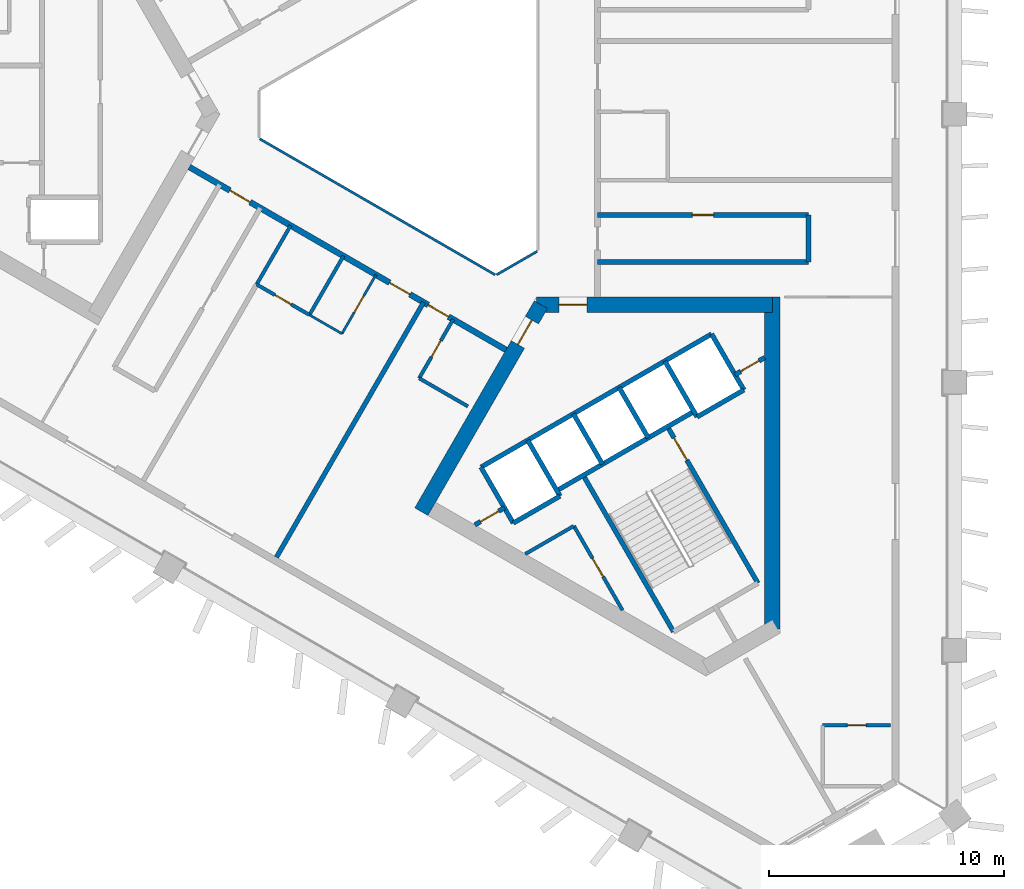
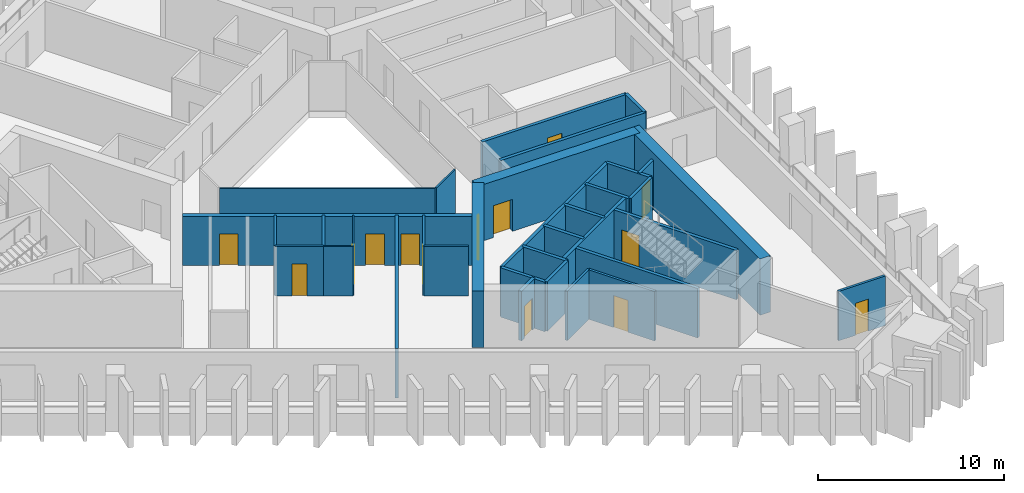
# One storey, part 3 of 11: 34 walls, 14 doors, 14 openings.
"""IFC4 building model written with IfcOpenShell, lengths in metres."""

from ifc_helpers import new_model, si_unit, direction, frame, frame_2d, origin, place, context, subcontext, project, spatial, rectangle, extrude, material, layer, layer_set, type_object, element, fill, save


model = new_model("IFC4")

# Units and contexts
model_context = context("Model", 3, precision=1e-05, world=origin(), true_north=direction((0.0, 1.0)))
body_context = subcontext(model_context, "Body", "Model", "MODEL_VIEW")
ifc_project = project(units=[si_unit("LENGTHUNIT", "METRE"), si_unit("AREAUNIT", "SQUARE_METRE"), si_unit("VOLUMEUNIT", "CUBIC_METRE"), si_unit("PLANEANGLEUNIT", "RADIAN"), si_unit("MASSUNIT", "GRAM", prefix="KILO")], contexts=[model_context])

# Site, building, storey
site_placement = place(None, origin())
site = spatial("IfcSite", under=ifc_project, at=site_placement, CompositionType="ELEMENT")
building_placement = place(site_placement, origin())
building = spatial("IfcBuilding", under=site, at=building_placement, Name="Jabali Bay Hotel Tower and Convention Centre", CompositionType="ELEMENT")
storey_placement = place(building_placement, frame((0.0, 0.0, 114.199951171875)))
storey = spatial("IfcBuildingStorey", under=building, at=storey_placement, Name="L27", CompositionType="ELEMENT", Elevation=114.199951171875)

# Walls
ifc_material_1 = material(Name="Fire-resistant glazing", Category="glass")
ifc_layer_1 = layer(ifc_material_1, 0.10009765625)
ifc_layer_set_1 = layer_set([ifc_layer_1], Name="Fire-resistant glazing")
wall_type_1 = type_object("IfcWallType", Name="Atrium glazed screen 100", PredefinedType="PARTITIONING", material=ifc_layer_set_1)
wall_1_placement = place(storey_placement, frame((67.7021484375, 78.947998046875, 0.0), z_axis=(0.0, 0.0, 1.0), x_axis=(0.866026658274, -0.499997827154, 0.0)))
element("IfcWall", 1, at=wall_1_placement, inside=storey, type_object=wall_type_1, Name="Atrium screen 5 L27", PredefinedType="PARTITIONING", context=body_context, shape_type="SweptSolid", body=[
    extrude(rectangle(XDim=11.58837890625, YDim=0.10009765625, at=frame_2d((5.794189453125, 0.0))), origin(), (0.0, 0.0, 1.0), 3.25),
])
wall_2_placement = place(storey_placement, frame((77.7978515625, 73.15380859375, 0.0), z_axis=(0.0, 0.0, 1.0), x_axis=(0.866041268327, 0.499972520799, 0.0)))
element("IfcWall", 2, at=wall_2_placement, inside=storey, type_object=wall_type_1, Name="Atrium screen 6 L27", PredefinedType="PARTITIONING", context=body_context, shape_type="SweptSolid", body=[
    extrude(rectangle(XDim=2.0, YDim=0.10009765625, at=frame_2d((1.0, 0.0))), origin(), (0.0, 0.0, 1.0), 3.25),
])

# Wall, opening, door
ifc_material_2 = material(Name="Concrete C40", Category="concrete")
ifc_layer_2 = layer(ifc_material_2, 0.199951171875)
ifc_layer_set_2 = layer_set([ifc_layer_2], Name="Concrete C40")
wall_type_2 = type_object("IfcWallType", Name="Core partition wall 200", PredefinedType="PARTITIONING", material=ifc_layer_set_2)
wall_3_placement = place(storey_placement, frame((76.869873046875, 62.489013671875, 0.0), z_axis=(0.0, 0.0, 1.0), x_axis=(0.866054810376, 0.49994906283, 0.0)))
wall_3 = element("IfcWall", 3, at=wall_3_placement, inside=storey, type_object=wall_type_2, Name="Core wall 2.11 L27", PredefinedType="PARTITIONING", context=body_context, shape_type="SweptSolid", body=[
    extrude(rectangle(XDim=1.461181640625, YDim=0.199951171875, at=frame_2d((0.73046875, 0.0))), origin(), (0.0, 0.0, 1.0), 3.25),
])
opening_1_placement = place(wall_3_placement, frame((0.280517578125, 0.0, 0.0)))
opening_1 = element("IfcOpeningElement", 4, at=opening_1_placement, cuts=wall_3, Name="Opening D618", PredefinedType="OPENING", context=body_context, shape_type="SweptSolid", body=[
    extrude(rectangle(XDim=0.89990234375, YDim=2.10009765625, at=frame_2d((0.449951171875, 1.050048828125))), frame((0.0, 0.1103515625, 0.0), z_axis=(0.0, -1.0, 0.0), x_axis=(1.0, 0.0, 0.0)), (0.0, 0.0, 1.0), 0.220947265625),
])
ifc_material_3 = material(Name="Fire-rated steel door", Category="steel")
door_type_1 = type_object("IfcDoorType", Name="Vestibule fire door 900 x 2100", OperationType="NOTDEFINED", PredefinedType="NOTDEFINED", material=ifc_material_3)
door_1_placement = place(opening_1_placement, origin())
door_1 = element("IfcDoor", 5, at=door_1_placement, inside=storey, type_object=door_type_1, Name="Vestibule fire door D618", OperationType="SINGLE_SWING_LEFT", OverallHeight=2.10009765625, OverallWidth=0.89990234375, PredefinedType="NOTDEFINED", context=body_context, shape_type="SweptSolid", body=[
    extrude(rectangle(XDim=0.89990234375, YDim=2.10009765625, at=frame_2d((0.449951171875, 1.050048828125))), frame((0.0, 0.02490234375, 0.0), z_axis=(0.0, -1.0, 0.0), x_axis=(1.0, 0.0, 0.0)), (0.0, 0.0, 1.0), 0.050048828125),
])
fill(opening_1, door_1)

wall_4_placement = place(storey_placement, frame((87.964599609375, 68.89453125, 0.0), z_axis=(0.0, 0.0, 1.0), x_axis=(0.866054810376, 0.49994906283, 0.0)))
wall_4 = element("IfcWall", 6, at=wall_4_placement, inside=storey, type_object=wall_type_2, Name="Core wall 2.12 L27", PredefinedType="PARTITIONING", context=body_context, shape_type="SweptSolid", body=[
    extrude(rectangle(XDim=1.461181640625, YDim=0.199951171875, at=frame_2d((0.73046875, 0.0))), origin(), (0.0, 0.0, 1.0), 3.25),
])
opening_2_placement = place(wall_4_placement, frame((0.280517578125, 0.0, 0.0)))
opening_2 = element("IfcOpeningElement", 7, at=opening_2_placement, cuts=wall_4, Name="Opening D617", PredefinedType="OPENING", context=body_context, shape_type="SweptSolid", body=[
    extrude(rectangle(XDim=0.89990234375, YDim=2.10009765625, at=frame_2d((0.449951171875, 1.050048828125))), frame((0.0, 0.1103515625, 0.0), z_axis=(0.0, -1.0, 0.0), x_axis=(1.0, 0.0, 0.0)), (0.0, 0.0, 1.0), 0.220947265625),
])
door_2_placement = place(opening_2_placement, origin())
door_2 = element("IfcDoor", 8, at=door_2_placement, inside=storey, type_object=door_type_1, Name="Vestibule fire door D617", OperationType="SINGLE_SWING_LEFT", OverallHeight=2.10009765625, OverallWidth=0.89990234375, PredefinedType="NOTDEFINED", context=body_context, shape_type="SweptSolid", body=[
    extrude(rectangle(XDim=0.89990234375, YDim=2.10009765625, at=frame_2d((0.449951171875, 1.050048828125))), frame((0.0, 0.02490234375, 0.0), z_axis=(0.0, -1.0, 0.0), x_axis=(1.0, 0.0, 0.0)), (0.0, 0.0, 1.0), 0.050048828125),
])
fill(opening_2, door_2)

ifc_material_4 = material(Name="Fire-rated board partition")
ifc_layer_3 = layer(ifc_material_4, 0.14990234375)
ifc_layer_set_3 = layer_set([ifc_layer_3], Name="Fire-rated board partition")
wall_type_3 = type_object("IfcWallType", Name="Core room partition 150", PredefinedType="PARTITIONING", material=ifc_layer_set_3)
wall_5_placement = place(storey_placement, frame((81.093994140625, 62.445068359375, 0.0), z_axis=(0.0, 0.0, 1.0), x_axis=(0.499975520016, -0.866039536849, 0.0)))
wall_5 = element("IfcWall", 9, at=wall_5_placement, inside=storey, type_object=wall_type_3, Name="Core wall 2.1 L27", PredefinedType="PARTITIONING", context=body_context, shape_type="SweptSolid", body=[
    extrude(rectangle(XDim=4.147705078125, YDim=0.14990234375, at=frame_2d((2.07373046875, 0.0))), origin(), (0.0, 0.0, 1.0), 3.25),
])
opening_3_placement = place(wall_5_placement, frame((1.596435546875, 0.0, 0.0)))
opening_3 = element("IfcOpeningElement", 10, at=opening_3_placement, cuts=wall_5, Name="Opening D620", PredefinedType="OPENING", context=body_context, shape_type="SweptSolid", body=[
    extrude(rectangle(XDim=0.89990234375, YDim=2.10009765625, at=frame_2d((0.449951171875, 1.050048828125))), frame((0.0, 0.08544921875, 0.0), z_axis=(0.0, -1.0, 0.0), x_axis=(1.0, 0.0, 0.0)), (0.0, 0.0, 1.0), 0.1708984375),
])
door_type_2 = type_object("IfcDoorType", Name="Core room door 900 x 2100", OperationType="NOTDEFINED", PredefinedType="NOTDEFINED", material=ifc_material_3)
door_3_placement = place(opening_3_placement, origin())
door_3 = element("IfcDoor", 11, at=door_3_placement, inside=storey, type_object=door_type_2, Name="Core room door D620", OperationType="SINGLE_SWING_LEFT", OverallHeight=2.10009765625, OverallWidth=0.89990234375, PredefinedType="NOTDEFINED", context=body_context, shape_type="SweptSolid", body=[
    extrude(rectangle(XDim=0.89990234375, YDim=2.10009765625, at=frame_2d((0.449951171875, 1.050048828125))), frame((0.0, 0.02490234375, 0.0), z_axis=(0.0, -1.0, 0.0), x_axis=(1.0, 0.0, 0.0)), (0.0, 0.0, 1.0), 0.050048828125),
])
fill(opening_3, door_3)

# Walls
wall_6_placement = place(storey_placement, frame((79.02001953125, 61.247802734375, 0.0), z_axis=(0.0, 0.0, 1.0), x_axis=(0.866051471819, 0.499954846121, 0.0)))
element("IfcWall", 12, at=wall_6_placement, inside=storey, type_object=wall_type_3, Name="Core wall 2.16 L27", PredefinedType="PARTITIONING", context=body_context, shape_type="SweptSolid", body=[
    extrude(rectangle(XDim=2.394775390625, YDim=0.14990234375, at=frame_2d((1.197265625, 0.0))), origin(), (0.0, 0.0, 1.0), 3.25),
])
ifc_layer_4 = layer(ifc_material_2, 0.199951171875)
ifc_layer_set_4 = layer_set([ifc_layer_4], Name="Concrete C40")
wall_type_4 = type_object("IfcWallType", Name="Core stair wall 200", PredefinedType="SOLIDWALL", material=ifc_layer_set_4)
for number, where, z_axis, x_axis, name in (
    (13, (77.13525390625, 64.95166015625, 0.0), (0.0, 0.0, 1.0), (0.499996545922, -0.866027397988, 0.0), "Core wall 2.0 L27"),
    (14, (79.127197265625, 66.1015625, 0.0), (0.0, 0.0, 1.0), (0.499996545922, -0.866027397988, 0.0), "Core wall 2.2 L27"),
):
    element("IfcWall", number, at=place(storey_placement, frame(where, z_axis=z_axis, x_axis=x_axis)), inside=storey, type_object=wall_type_4, Name=name, PredefinedType="SOLIDWALL", context=body_context, shape_type="SweptSolid", body=[
        extrude(rectangle(XDim=2.75, YDim=0.199951171875, at=frame_2d((1.375, 0.0))), origin(), (0.0, 0.0, 1.0), 3.25),
    ])
wall_7_placement = place(storey_placement, frame((81.492919921875, 64.603759765625, 0.0), z_axis=(0.0, 0.0, 1.0), x_axis=(0.500006057782, -0.866021906294, 0.0)))
element("IfcWall", 15, at=wall_7_placement, inside=storey, type_object=wall_type_4, Name="Core wall 2.3 L27", PredefinedType="SOLIDWALL", context=body_context, shape_type="SweptSolid", body=[
    extrude(rectangle(XDim=7.7001953125, YDim=0.199951171875, at=frame_2d((3.85009765625, 0.0))), origin(), (0.0, 0.0, 1.0), 3.25),
])
for number, where, z_axis, x_axis, name in (
    (16, (81.07568359375, 67.2265625, 0.0), (0.0, 0.0, 1.0), (0.50000366821, -0.866023285932, 0.0), "Core wall 2.4 L27"),
    (17, (83.024169921875, 68.3515625, 0.0), (0.0, 0.0, 1.0), (0.50000366821, -0.866023285932, 0.0), "Core wall 2.6 L27"),
):
    element("IfcWall", number, at=place(storey_placement, frame(where, z_axis=z_axis, x_axis=x_axis)), inside=storey, type_object=wall_type_4, Name=name, PredefinedType="SOLIDWALL", context=body_context, shape_type="SweptSolid", body=[
        extrude(rectangle(XDim=2.47998046875, YDim=0.199951171875, at=frame_2d((1.239990234375, 0.0))), origin(), (0.0, 0.0, 1.0), 3.25),
    ])

# Wall, opening, door
wall_8_placement = place(storey_placement, frame((85.0869140625, 66.6787109375, 0.0), z_axis=(0.0, 0.0, 1.0), x_axis=(0.500019787375, -0.866013979237, 0.0)))
wall_8 = element("IfcWall", 18, at=wall_8_placement, inside=storey, type_object=wall_type_4, Name="Core wall 2.7 L27", PredefinedType="SOLIDWALL", context=body_context, shape_type="SweptSolid", body=[
    extrude(rectangle(XDim=7.699951171875, YDim=0.199951171875, at=frame_2d((3.85009765625, 0.0))), origin(), (0.0, 0.0, 1.0), 3.25),
])
opening_4_placement = place(wall_8_placement, frame((0.550048828125, 0.0, 0.0)))
opening_4 = element("IfcOpeningElement", 19, at=opening_4_placement, cuts=wall_8, Name="Opening D619", PredefinedType="OPENING", context=body_context, shape_type="SweptSolid", body=[
    extrude(rectangle(XDim=1.10009765625, YDim=2.10009765625, at=frame_2d((0.550048828125, 1.050048828125))), frame((0.0, 0.1103515625, 0.0), z_axis=(0.0, -1.0, 0.0), x_axis=(1.0, 0.0, 0.0)), (0.0, 0.0, 1.0), 0.220947265625),
])
door_type_3 = type_object("IfcDoorType", Name="Stair fire door 1100 x 2100", OperationType="NOTDEFINED", PredefinedType="NOTDEFINED", material=ifc_material_3)
door_4_placement = place(opening_4_placement, origin())
door_4 = element("IfcDoor", 20, at=door_4_placement, inside=storey, type_object=door_type_3, Name="Stair fire door D619", OperationType="SINGLE_SWING_RIGHT", OverallHeight=2.10009765625, OverallWidth=1.10009765625, PredefinedType="NOTDEFINED", context=body_context, shape_type="SweptSolid", body=[
    extrude(rectangle(XDim=1.10009765625, YDim=2.10009765625, at=frame_2d((0.550048828125, 1.050048828125))), frame((0.0, 0.02490234375, 0.0), z_axis=(0.0, -1.0, 0.0), x_axis=(1.0, 0.0, 0.0)), (0.0, 0.0, 1.0), 0.050048828125),
])
fill(opening_4, door_4)

# Walls
for number, where, z_axis, x_axis, name in (
    (21, (84.972900390625, 69.4765625, 0.0), (0.0, 0.0, 1.0), (0.499996545922, -0.866027397988, 0.0), "Core wall 2.8 L27"),
    (22, (86.964599609375, 70.62646484375, 0.0), (0.0, 0.0, 1.0), (0.499996545922, -0.866027397988, 0.0), "Core wall 2.9 L27"),
):
    element("IfcWall", number, at=place(storey_placement, frame(where, z_axis=z_axis, x_axis=x_axis)), inside=storey, type_object=wall_type_4, Name=name, PredefinedType="SOLIDWALL", context=body_context, shape_type="SweptSolid", body=[
        extrude(rectangle(XDim=2.75, YDim=0.199951171875, at=frame_2d((1.375, 0.0))), origin(), (0.0, 0.0, 1.0), 3.25),
    ])
wall_9_placement = place(storey_placement, frame((77.13525390625, 64.95166015625, 0.0), z_axis=(0.0, 0.0, 1.0), x_axis=(0.866031916153, 0.499988720078, 0.0)))
element("IfcWall", 23, at=wall_9_placement, inside=storey, type_object=wall_type_4, Name="Core wall 2.10 L27", PredefinedType="SOLIDWALL", context=body_context, shape_type="SweptSolid", body=[
    extrude(rectangle(XDim=11.349853515625, YDim=0.199951171875, at=frame_2d((5.6748046875, 0.0))), origin(), (0.0, 0.0, 1.0), 3.25),
])
wall_10_placement = place(storey_placement, frame((80.3671875, 63.953857421875, 0.0), z_axis=(0.0, 0.0, 1.0), x_axis=(0.866026575979, 0.499997969693, 0.0)))
element("IfcWall", 24, at=wall_10_placement, inside=storey, type_object=wall_type_4, Name="Core wall 2.13 L27", PredefinedType="SOLIDWALL", context=body_context, shape_type="SweptSolid", body=[
    extrude(rectangle(XDim=6.75, YDim=0.199951171875, at=frame_2d((3.375, 0.0))), origin(), (0.0, 0.0, 1.0), 3.25),
])
wall_11_placement = place(storey_placement, frame((78.51025390625, 62.570068359375, 0.0), z_axis=(0.0, 0.0, 1.0), x_axis=(0.866053019151, 0.499952165731, 0.0)))
element("IfcWall", 25, at=wall_11_placement, inside=storey, type_object=wall_type_4, Name="Core wall 2.14 L27", PredefinedType="SOLIDWALL", context=body_context, shape_type="SweptSolid", body=[
    extrude(rectangle(XDim=2.300048828125, YDim=0.199951171875, at=frame_2d((1.14990234375, 0.0))), origin(), (0.0, 0.0, 1.0), 3.25),
])
wall_12_placement = place(storey_placement, frame((86.347900390625, 67.094970703125, 0.0), z_axis=(0.0, 0.0, 1.0), x_axis=(0.86602648383, 0.499998129301, 0.0)))
element("IfcWall", 26, at=wall_12_placement, inside=storey, type_object=wall_type_4, Name="Core wall 2.15 L27", PredefinedType="SOLIDWALL", context=body_context, shape_type="SweptSolid", body=[
    extrude(rectangle(XDim=2.2998046875, YDim=0.199951171875, at=frame_2d((1.14990234375, 0.0))), origin(), (0.0, 0.0, 1.0), 3.25),
])

# Wall, opening, door
ifc_material_5 = material(Name="Concrete C60", Category="concrete")
ifc_layer_5 = layer(ifc_material_5, 0.64990234375)
ifc_layer_set_5 = layer_set([ifc_layer_5], Name="Concrete C60")
wall_type_5 = type_object("IfcWallType", Name="Core wall 650", PredefinedType="SHEAR", material=ifc_layer_set_5)
wall_13_placement = place(storey_placement, frame((79.687744140625, 71.880859375, 0.0), z_axis=(0.0, 0.0, 1.0), x_axis=(-0.49999822179, -0.866026430432, 0.0)))
wall_13 = element("IfcWall", 27, at=wall_13_placement, inside=storey, type_object=wall_type_5, Name="Core wall 3.1 L27", PredefinedType="SHEAR", context=body_context, shape_type="SweptSolid", body=[
    extrude(rectangle(XDim=10.1923828125, YDim=0.64990234375, at=frame_2d((5.09619140625, 0.0))), origin(), (0.0, 0.0, 1.0), 3.699951171875),
])
opening_5_placement = place(wall_13_placement, frame((0.762451171875, 0.0, 0.0)))
opening_5 = element("IfcOpeningElement", 28, at=opening_5_placement, cuts=wall_13, Name="Opening D615", PredefinedType="OPENING", context=body_context, shape_type="SweptSolid", body=[
    extrude(rectangle(XDim=1.199951171875, YDim=2.10009765625, at=frame_2d((0.60009765625, 1.050048828125))), frame((0.0, 0.33544921875, 0.0), z_axis=(0.0, -1.0, 0.0), x_axis=(1.0, 0.0, 0.0)), (0.0, 0.0, 1.0), 0.6708984375),
])
door_type_4 = type_object("IfcDoorType", Name="Corridor end fire door 1200 x 2100", OperationType="NOTDEFINED", PredefinedType="NOTDEFINED", material=ifc_material_3)
door_5_placement = place(opening_5_placement, origin())
door_5 = element("IfcDoor", 29, at=door_5_placement, inside=storey, type_object=door_type_4, Name="Corridor end fire door D615", OperationType="SINGLE_SWING_RIGHT", OverallHeight=2.10009765625, OverallWidth=1.199951171875, PredefinedType="NOTDEFINED", context=body_context, shape_type="SweptSolid", body=[
    extrude(rectangle(XDim=1.199951171875, YDim=2.10009765625, at=frame_2d((0.60009765625, 1.050048828125))), frame((0.0, 0.02490234375, 0.0), z_axis=(0.0, -1.0, 0.0), x_axis=(1.0, 0.0, 0.0)), (0.0, 0.0, 1.0), 0.050048828125),
])
fill(opening_5, door_5)

# Wall
wall_14_placement = place(storey_placement, frame((89.554931640625, 58.06005859375, 0.0), z_axis=(0.0, 0.0, 1.0), x_axis=(0.0, 1.0, 0.0)))
element("IfcWall", 30, at=wall_14_placement, inside=storey, type_object=wall_type_5, Name="Core wall 3.4 L27", PredefinedType="SHEAR", context=body_context, shape_type="SweptSolid", body=[
    extrude(rectangle(XDim=14.145751953125, YDim=0.64990234375, at=frame_2d((7.07275390625, 0.0))), origin(), (0.0, 0.0, 1.0), 3.699951171875),
])

# Wall, opening, door
wall_15_placement = place(storey_placement, frame((89.554931640625, 71.880859375, 0.0), z_axis=(0.0, 0.0, 1.0), x_axis=(-1.0, 0.0, 0.0)))
wall_15 = element("IfcWall", 31, at=wall_15_placement, inside=storey, type_object=wall_type_5, Name="Core wall 3.5 L27", PredefinedType="SHEAR", context=body_context, shape_type="SweptSolid", body=[
    extrude(rectangle(XDim=10.054931640625, YDim=0.64990234375, at=frame_2d((5.02734375, 0.0))), origin(), (0.0, 0.0, 1.0), 3.699951171875),
])
opening_6_placement = place(wall_15_placement, frame((7.905029296875, 0.0, 0.0)))
opening_6 = element("IfcOpeningElement", 32, at=opening_6_placement, cuts=wall_15, Name="Opening D616", PredefinedType="OPENING", context=body_context, shape_type="SweptSolid", body=[
    extrude(rectangle(XDim=1.199951171875, YDim=2.10009765625, at=frame_2d((0.60009765625, 1.050048828125))), frame((0.0, 0.33544921875, 0.0), z_axis=(0.0, -1.0, 0.0), x_axis=(1.0, 0.0, 0.0)), (0.0, 0.0, 1.0), 0.6708984375),
])
door_6_placement = place(opening_6_placement, origin())
door_6 = element("IfcDoor", 33, at=door_6_placement, inside=storey, type_object=door_type_4, Name="Corridor end fire door D616", OperationType="SINGLE_SWING_LEFT", OverallHeight=2.10009765625, OverallWidth=1.199951171875, PredefinedType="NOTDEFINED", context=body_context, shape_type="SweptSolid", body=[
    extrude(rectangle(XDim=1.199951171875, YDim=2.10009765625, at=frame_2d((0.60009765625, 1.050048828125))), frame((0.0, 0.02490234375, 0.0), z_axis=(0.0, -1.0, 0.0), x_axis=(1.0, 0.0, 0.0)), (0.0, 0.0, 1.0), 0.050048828125),
])
fill(opening_6, door_6)

# Wall, openings, doors
ifc_layer_6 = layer(ifc_material_5, 0.25)
ifc_layer_set_6 = layer_set([ifc_layer_6], Name="Concrete C60")
wall_type_6 = type_object("IfcWallType", Name="Corridor wall 250", PredefinedType="SHEAR", material=ifc_layer_set_6)
wall_16_placement = place(storey_placement, frame((64.699951171875, 77.748291015625, 0.0), z_axis=(0.0, 0.0, 1.0), x_axis=(0.866026492143, -0.499998114903, 0.0)))
wall_16 = element("IfcWall", 34, at=wall_16_placement, inside=storey, type_object=wall_type_6, Name="Corridor wall 3 L27", PredefinedType="SHEAR", context=body_context, shape_type="SweptSolid", body=[
    extrude(rectangle(XDim=15.58837890625, YDim=0.25, at=frame_2d((7.794189453125, 0.0))), origin(), (0.0, 0.0, 1.0), 3.25),
])
opening_7_placement = place(wall_16_placement, frame((1.994140625, 0.0, 0.0)))
opening_7 = element("IfcOpeningElement", 35, at=opening_7_placement, cuts=wall_16, Name="Opening 2717", PredefinedType="OPENING", context=body_context, shape_type="SweptSolid", body=[
    extrude(rectangle(XDim=1.0, YDim=2.10009765625, at=frame_2d((0.5, 1.050048828125))), frame((0.0, 0.135498046875, 0.0), z_axis=(0.0, -1.0, 0.0), x_axis=(1.0, 0.0, 0.0)), (0.0, 0.0, 1.0), 0.27099609375),
])
opening_8_placement = place(wall_16_placement, frame((9.86181640625, 0.0, 0.0)))
opening_8 = element("IfcOpeningElement", 36, at=opening_8_placement, cuts=wall_16, Name="Opening 2723", PredefinedType="OPENING", context=body_context, shape_type="SweptSolid", body=[
    extrude(rectangle(XDim=1.0, YDim=2.10009765625, at=frame_2d((0.5, 1.050048828125))), frame((0.0, 0.135498046875, 0.0), z_axis=(0.0, -1.0, 0.0), x_axis=(1.0, 0.0, 0.0)), (0.0, 0.0, 1.0), 0.27099609375),
])
opening_9_placement = place(wall_16_placement, frame((11.761962890625, 0.0, 0.0)))
opening_9 = element("IfcOpeningElement", 37, at=opening_9_placement, cuts=wall_16, Name="Opening 2725", PredefinedType="OPENING", context=body_context, shape_type="SweptSolid", body=[
    extrude(rectangle(XDim=1.0, YDim=2.10009765625, at=frame_2d((0.5, 1.050048828125))), frame((0.0, 0.135498046875, 0.0), z_axis=(0.0, -1.0, 0.0), x_axis=(1.0, 0.0, 0.0)), (0.0, 0.0, 1.0), 0.27099609375),
])
ifc_material_6 = material(Name="Timber", Category="wood")
door_type_5 = type_object("IfcDoorType", Name="Guest room door 1000 x 2100", OperationType="NOTDEFINED", PredefinedType="NOTDEFINED", material=ifc_material_6)
door_7_placement = place(opening_7_placement, origin())
door_7 = element("IfcDoor", 38, at=door_7_placement, inside=storey, type_object=door_type_5, Name="Door 2717", OperationType="SINGLE_SWING_LEFT", OverallHeight=2.10009765625, OverallWidth=1.0, PredefinedType="NOTDEFINED", context=body_context, shape_type="SweptSolid", body=[
    extrude(rectangle(XDim=1.0, YDim=2.10009765625, at=frame_2d((0.5, 1.050048828125))), frame((0.0, 0.02490234375, 0.0), z_axis=(0.0, -1.0, 0.0), x_axis=(1.0, 0.0, 0.0)), (0.0, 0.0, 1.0), 0.050048828125),
])
fill(opening_7, door_7)
door_8_placement = place(opening_8_placement, origin())
door_8 = element("IfcDoor", 39, at=door_8_placement, inside=storey, type_object=door_type_5, Name="Door 2723", OperationType="SINGLE_SWING_RIGHT", OverallHeight=2.10009765625, OverallWidth=1.0, PredefinedType="NOTDEFINED", context=body_context, shape_type="SweptSolid", body=[
    extrude(rectangle(XDim=1.0, YDim=2.10009765625, at=frame_2d((0.5, 1.050048828125))), frame((0.0, 0.02490234375, 0.0), z_axis=(0.0, -1.0, 0.0), x_axis=(1.0, 0.0, 0.0)), (0.0, 0.0, 1.0), 0.050048828125),
])
fill(opening_8, door_8)
door_9_placement = place(opening_9_placement, origin())
door_9 = element("IfcDoor", 40, at=door_9_placement, inside=storey, type_object=door_type_5, Name="Door 2725", OperationType="SINGLE_SWING_RIGHT", OverallHeight=2.10009765625, OverallWidth=1.0, PredefinedType="NOTDEFINED", context=body_context, shape_type="SweptSolid", body=[
    extrude(rectangle(XDim=1.0, YDim=2.10009765625, at=frame_2d((0.5, 1.050048828125))), frame((0.0, 0.02490234375, 0.0), z_axis=(0.0, -1.0, 0.0), x_axis=(1.0, 0.0, 0.0)), (0.0, 0.0, 1.0), 0.050048828125),
])
fill(opening_9, door_9)

# Wall, opening, door
ifc_material_7 = material(Name="Plasterboard on steel stud", Category="steel")
ifc_layer_7 = layer(ifc_material_7, 0.10009765625)
ifc_layer_set_7 = layer_set([ifc_layer_7], Name="Plasterboard on steel stud")
wall_type_7 = type_object("IfcWallType", Name="Partition 100 unit", PredefinedType="PARTITIONING", material=ifc_layer_set_7)
wall_17_placement = place(storey_placement, frame((72.6572265625, 73.154296875, 0.0), z_axis=(0.0, 0.0, 1.0), x_axis=(-0.499987231761, -0.866032775405, 0.0)))
wall_17 = element("IfcWall", 41, at=wall_17_placement, inside=storey, type_object=wall_type_7, Name="Partition P02 L27 042", PredefinedType="PARTITIONING", context=body_context, shape_type="SweptSolid", body=[
    extrude(rectangle(XDim=2.89990234375, YDim=0.10009765625, at=frame_2d((1.449951171875, 0.0))), origin(), (0.0, 0.0, 1.0), 3.25),
])
opening_10_placement = place(wall_17_placement, frame((1.050048828125, 0.0, 0.0)))
opening_10 = element("IfcOpeningElement", 42, at=opening_10_placement, cuts=wall_17, Name="Opening 2722", PredefinedType="OPENING", context=body_context, shape_type="SweptSolid", body=[
    extrude(rectangle(XDim=0.800048828125, YDim=2.10009765625, at=frame_2d((0.39990234375, 1.050048828125))), frame((0.0, 0.060546875, 0.0), z_axis=(0.0, -1.0, 0.0), x_axis=(1.0, 0.0, 0.0)), (0.0, 0.0, 1.0), 0.12109375),
])
door_type_6 = type_object("IfcDoorType", Name="Dressing room door 800 x 2100", OperationType="NOTDEFINED", PredefinedType="NOTDEFINED", material=ifc_material_6)
door_10_placement = place(opening_10_placement, origin())
door_10 = element("IfcDoor", 43, at=door_10_placement, inside=storey, type_object=door_type_6, Name="Door 2722", OperationType="SINGLE_SWING_RIGHT", OverallHeight=2.10009765625, OverallWidth=0.800048828125, PredefinedType="NOTDEFINED", context=body_context, shape_type="SweptSolid", body=[
    extrude(rectangle(XDim=0.800048828125, YDim=2.10009765625, at=frame_2d((0.39990234375, 1.050048828125))), frame((0.0, 0.02490234375, 0.0), z_axis=(0.0, -1.0, 0.0), x_axis=(1.0, 0.0, 0.0)), (0.0, 0.0, 1.0), 0.050048828125),
])
fill(opening_10, door_10)

# Wall
wall_18_placement = place(storey_placement, frame((71.207275390625, 70.642822265625, 0.0), z_axis=(0.0, 0.0, 1.0), x_axis=(-0.866055983265, 0.499947031044, 0.0)))
element("IfcWall", 44, at=wall_18_placement, inside=storey, type_object=wall_type_7, Name="Partition P02 L27 043", PredefinedType="PARTITIONING", context=body_context, shape_type="SweptSolid", body=[
    extrude(rectangle(XDim=1.599853515625, YDim=0.10009765625, at=frame_2d((0.7998046875, 0.0))), origin(), (0.0, 0.0, 1.0), 3.25),
])

# Wall, opening, door
ifc_layer_8 = layer(ifc_material_7, 0.14990234375)
ifc_layer_set_8 = layer_set([ifc_layer_8], Name="Plasterboard on steel stud")
wall_type_8 = type_object("IfcWallType", Name="Partition 150 wet", PredefinedType="PARTITIONING", material=ifc_layer_set_8)
wall_19_placement = place(storey_placement, frame((91.70166015625, 53.94482421875, 0.0), z_axis=(0.0, 0.0, 1.0), x_axis=(1.0, 0.0, 0.0)))
wall_19 = element("IfcWall", 45, at=wall_19_placement, inside=storey, type_object=wall_type_8, Name="Partition P03 L27 009", PredefinedType="PARTITIONING", context=body_context, shape_type="SweptSolid", body=[
    extrude(rectangle(XDim=2.89990234375, YDim=0.14990234375, at=frame_2d((1.449951171875, 0.0))), origin(), (0.0, 0.0, 1.0), 3.25),
])
opening_11_placement = place(wall_19_placement, frame((1.050048828125, 0.0, 0.0)))
opening_11 = element("IfcOpeningElement", 46, at=opening_11_placement, cuts=wall_19, Name="Opening 2703", PredefinedType="OPENING", context=body_context, shape_type="SweptSolid", body=[
    extrude(rectangle(XDim=0.800048828125, YDim=2.10009765625, at=frame_2d((0.39990234375, 1.050048828125))), frame((0.0, 0.08544921875, 0.0), z_axis=(0.0, -1.0, 0.0), x_axis=(1.0, 0.0, 0.0)), (0.0, 0.0, 1.0), 0.1708984375),
])
door_type_7 = type_object("IfcDoorType", Name="En-suite door 800 x 2100", OperationType="NOTDEFINED", PredefinedType="NOTDEFINED", material=ifc_material_6)
door_11_placement = place(opening_11_placement, origin())
door_11 = element("IfcDoor", 47, at=door_11_placement, inside=storey, type_object=door_type_7, Name="Door 2703", OperationType="SINGLE_SWING_LEFT", OverallHeight=2.10009765625, OverallWidth=0.800048828125, PredefinedType="NOTDEFINED", context=body_context, shape_type="SweptSolid", body=[
    extrude(rectangle(XDim=0.800048828125, YDim=2.10009765625, at=frame_2d((0.39990234375, 1.050048828125))), frame((0.0, 0.02490234375, 0.0), z_axis=(0.0, -1.0, 0.0), x_axis=(1.0, 0.0, 0.0)), (0.0, 0.0, 1.0), 0.050048828125),
])
fill(opening_11, door_11)

# Wall
wall_20_placement = place(storey_placement, frame((67.570068359375, 72.74267578125, 0.0), z_axis=(0.0, 0.0, 1.0), x_axis=(0.499987231761, 0.866032775405, 0.0)))
element("IfcWall", 48, at=wall_20_placement, inside=storey, type_object=wall_type_8, Name="Partition P03 L27 037", PredefinedType="PARTITIONING", context=body_context, shape_type="SweptSolid", body=[
    extrude(rectangle(XDim=2.89990234375, YDim=0.14990234375, at=frame_2d((1.449951171875, 0.0))), origin(), (0.0, 0.0, 1.0), 3.25),
])

# Wall, opening, door
wall_21_placement = place(storey_placement, frame((69.82177734375, 71.442626953125, 0.0), z_axis=(0.0, 0.0, 1.0), x_axis=(-0.866021400173, 0.500006934395, 0.0)))
wall_21 = element("IfcWall", 49, at=wall_21_placement, inside=storey, type_object=wall_type_8, Name="Partition P03 L27 041", PredefinedType="PARTITIONING", context=body_context, shape_type="SweptSolid", body=[
    extrude(rectangle(XDim=2.60009765625, YDim=0.14990234375, at=frame_2d((1.300048828125, 0.0))), origin(), (0.0, 0.0, 1.0), 3.25),
])
opening_12_placement = place(wall_21_placement, frame((0.89990234375, 0.0, 0.0)))
opening_12 = element("IfcOpeningElement", 50, at=opening_12_placement, cuts=wall_21, Name="Opening 2721", PredefinedType="OPENING", context=body_context, shape_type="SweptSolid", body=[
    extrude(rectangle(XDim=0.800048828125, YDim=2.10009765625, at=frame_2d((0.39990234375, 1.050048828125))), frame((0.0, 0.08544921875, 0.0), z_axis=(0.0, -1.0, 0.0), x_axis=(1.0, 0.0, 0.0)), (0.0, 0.0, 1.0), 0.1708984375),
])
door_12_placement = place(opening_12_placement, origin())
door_12 = element("IfcDoor", 51, at=door_12_placement, inside=storey, type_object=door_type_7, Name="Door 2721", OperationType="SINGLE_SWING_RIGHT", OverallHeight=2.10009765625, OverallWidth=0.800048828125, PredefinedType="NOTDEFINED", context=body_context, shape_type="SweptSolid", body=[
    extrude(rectangle(XDim=0.800048828125, YDim=2.10009765625, at=frame_2d((0.39990234375, 1.050048828125))), frame((0.0, 0.02490234375, 0.0), z_axis=(0.0, -1.0, 0.0), x_axis=(1.0, 0.0, 0.0)), (0.0, 0.0, 1.0), 0.050048828125),
])
fill(opening_12, door_12)

# Walls
wall_22_placement = place(storey_placement, frame((69.82177734375, 71.442626953125, 0.0), z_axis=(0.0, 0.0, 1.0), x_axis=(0.499987231761, 0.866032775405, 0.0)))
element("IfcWall", 52, at=wall_22_placement, inside=storey, type_object=wall_type_8, Name="Partition P03 L27 045", PredefinedType="PARTITIONING", context=body_context, shape_type="SweptSolid", body=[
    extrude(rectangle(XDim=2.89990234375, YDim=0.14990234375, at=frame_2d((1.449951171875, 0.0))), origin(), (0.0, 0.0, 1.0), 3.25),
])
wall_23_placement = place(storey_placement, frame((76.57763671875, 67.542236328125, 0.0), z_axis=(0.0, 0.0, 1.0), x_axis=(-0.866038271014, 0.499977712642, 0.0)))
element("IfcWall", 53, at=wall_23_placement, inside=storey, type_object=wall_type_8, Name="Partition P03 L27 046", PredefinedType="PARTITIONING", context=body_context, shape_type="SweptSolid", body=[
    extrude(rectangle(XDim=2.40087890625, YDim=0.14990234375, at=frame_2d((1.200439453125, 0.0))), origin(), (0.0, 0.0, 1.0), 3.25),
])

# Wall, opening, door
wall_24_placement = place(storey_placement, frame((74.498291015625, 68.74267578125, 0.0), z_axis=(0.0, 0.0, 1.0), x_axis=(0.499987231761, 0.866032775405, 0.0)))
wall_24 = element("IfcWall", 54, at=wall_24_placement, inside=storey, type_object=wall_type_8, Name="Partition P03 L27 047", PredefinedType="PARTITIONING", context=body_context, shape_type="SweptSolid", body=[
    extrude(rectangle(XDim=2.89990234375, YDim=0.14990234375, at=frame_2d((1.449951171875, 0.0))), origin(), (0.0, 0.0, 1.0), 3.25),
])
opening_13_placement = place(wall_24_placement, frame((1.050048828125, 0.0, 0.0)))
opening_13 = element("IfcOpeningElement", 55, at=opening_13_placement, cuts=wall_24, Name="Opening 2724", PredefinedType="OPENING", context=body_context, shape_type="SweptSolid", body=[
    extrude(rectangle(XDim=0.800048828125, YDim=2.10009765625, at=frame_2d((0.39990234375, 1.050048828125))), frame((0.0, 0.08544921875, 0.0), z_axis=(0.0, -1.0, 0.0), x_axis=(1.0, 0.0, 0.0)), (0.0, 0.0, 1.0), 0.1708984375),
])
door_13_placement = place(opening_13_placement, origin())
door_13 = element("IfcDoor", 56, at=door_13_placement, inside=storey, type_object=door_type_7, Name="Door 2724", OperationType="SINGLE_SWING_RIGHT", OverallHeight=2.10009765625, OverallWidth=0.800048828125, PredefinedType="NOTDEFINED", context=body_context, shape_type="SweptSolid", body=[
    extrude(rectangle(XDim=0.800048828125, YDim=2.10009765625, at=frame_2d((0.39990234375, 1.050048828125))), frame((0.0, 0.02490234375, 0.0), z_axis=(0.0, -1.0, 0.0), x_axis=(1.0, 0.0, 0.0)), (0.0, 0.0, 1.0), 0.050048828125),
])
fill(opening_13, door_13)

ifc_layer_9 = layer(ifc_material_7, 0.199951171875)
ifc_layer_set_9 = layer_set([ifc_layer_9], Name="Plasterboard on steel stud")
wall_type_9 = type_object("IfcWallType", Name="Partition 200 party", PredefinedType="PARTITIONING", material=ifc_layer_set_9)
wall_25_placement = place(storey_placement, frame((82.10009765625, 75.699951171875, 0.0), z_axis=(0.0, 0.0, 1.0), x_axis=(1.0, 0.0, 0.0)))
wall_25 = element("IfcWall", 57, at=wall_25_placement, inside=storey, type_object=wall_type_9, Name="Partition P01 L27 002", PredefinedType="PARTITIONING", context=body_context, shape_type="SweptSolid", body=[
    extrude(rectangle(XDim=9.0, YDim=0.199951171875, at=frame_2d((4.5, 0.0))), origin(), (0.0, 0.0, 1.0), 3.25),
])
opening_14_placement = place(wall_25_placement, frame((4.050048828125, 0.0, 0.0)))
opening_14 = element("IfcOpeningElement", 58, at=opening_14_placement, cuts=wall_25, Name="Opening 2704", PredefinedType="OPENING", context=body_context, shape_type="SweptSolid", body=[
    extrude(rectangle(XDim=0.89990234375, YDim=2.10009765625, at=frame_2d((0.449951171875, 1.050048828125))), frame((0.0, 0.1103515625, 0.0), z_axis=(0.0, -1.0, 0.0), x_axis=(1.0, 0.0, 0.0)), (0.0, 0.0, 1.0), 0.220947265625),
])
door_type_8 = type_object("IfcDoorType", Name="Internal door 900 x 2100", OperationType="NOTDEFINED", PredefinedType="NOTDEFINED", material=ifc_material_6)
door_14_placement = place(opening_14_placement, origin())
door_14 = element("IfcDoor", 59, at=door_14_placement, inside=storey, type_object=door_type_8, Name="Door 2704", OperationType="SINGLE_SWING_RIGHT", OverallHeight=2.10009765625, OverallWidth=0.89990234375, PredefinedType="NOTDEFINED", context=body_context, shape_type="SweptSolid", body=[
    extrude(rectangle(XDim=0.89990234375, YDim=2.10009765625, at=frame_2d((0.449951171875, 1.050048828125))), frame((0.0, 0.02490234375, 0.0), z_axis=(0.0, -1.0, 0.0), x_axis=(1.0, 0.0, 0.0)), (0.0, 0.0, 1.0), 0.050048828125),
])
fill(opening_14, door_14)

# Walls
wall_26_placement = place(storey_placement, frame((91.10009765625, 75.699951171875, 0.0), z_axis=(0.0, 0.0, 1.0), x_axis=(0.0, -1.0, 0.0)))
element("IfcWall", 60, at=wall_26_placement, inside=storey, type_object=wall_type_9, Name="Partition P01 L27 003", PredefinedType="PARTITIONING", context=body_context, shape_type="SweptSolid", body=[
    extrude(rectangle(XDim=2.0, YDim=0.199951171875, at=frame_2d((1.0, 0.0))), origin(), (0.0, 0.0, 1.0), 3.25),
])
wall_27_placement = place(storey_placement, frame((91.10009765625, 73.699951171875, 0.0), z_axis=(0.0, 0.0, 1.0), x_axis=(-1.0, 0.0, 0.0)))
element("IfcWall", 61, at=wall_27_placement, inside=storey, type_object=wall_type_9, Name="Partition P01 L27 004", PredefinedType="PARTITIONING", context=body_context, shape_type="SweptSolid", body=[
    extrude(rectangle(XDim=9.0, YDim=0.199951171875, at=frame_2d((4.5, 0.0))), origin(), (0.0, 0.0, 1.0), 3.25),
])
wall_28_placement = place(storey_placement, frame((68.41455078125, 61.111083984375, 0.0), z_axis=(0.0, 0.0, 1.0), x_axis=(0.499988493964, 0.866032046696, 0.0)))
element("IfcWall", 62, at=wall_28_placement, inside=storey, type_object=wall_type_9, Name="Partition P01 L27 044", PredefinedType="PARTITIONING", context=body_context, shape_type="SweptSolid", body=[
    extrude(rectangle(XDim=12.551025390625, YDim=0.199951171875, at=frame_2d((6.275390625, 0.0))), origin(), (0.0, 0.0, 1.0), 3.25),
])

save(model, "model.ifc")
